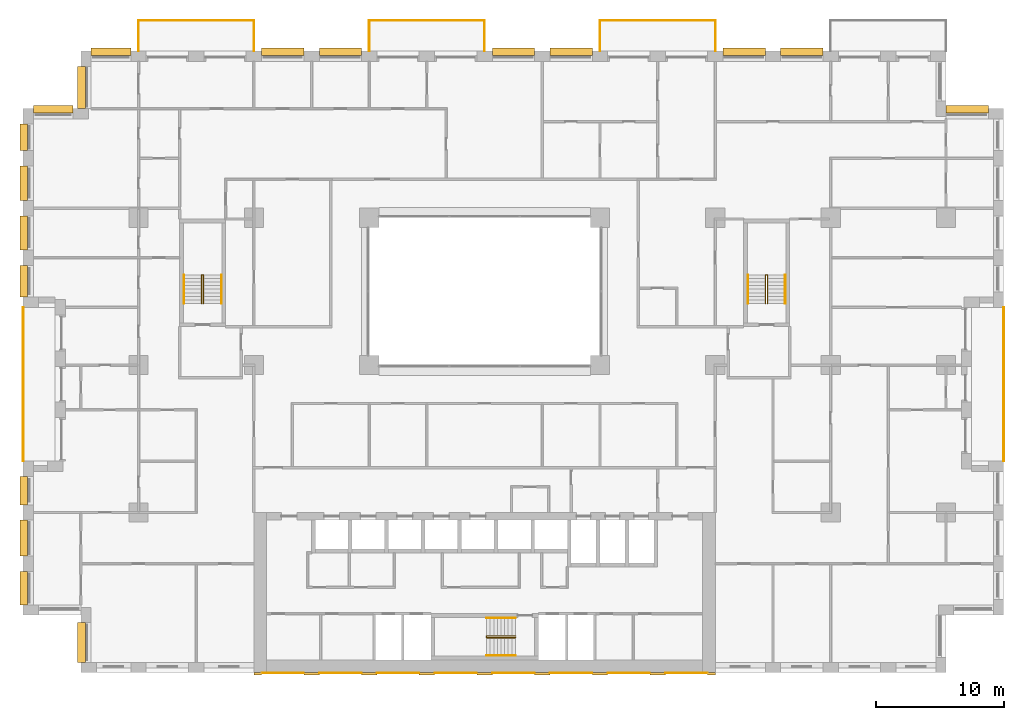
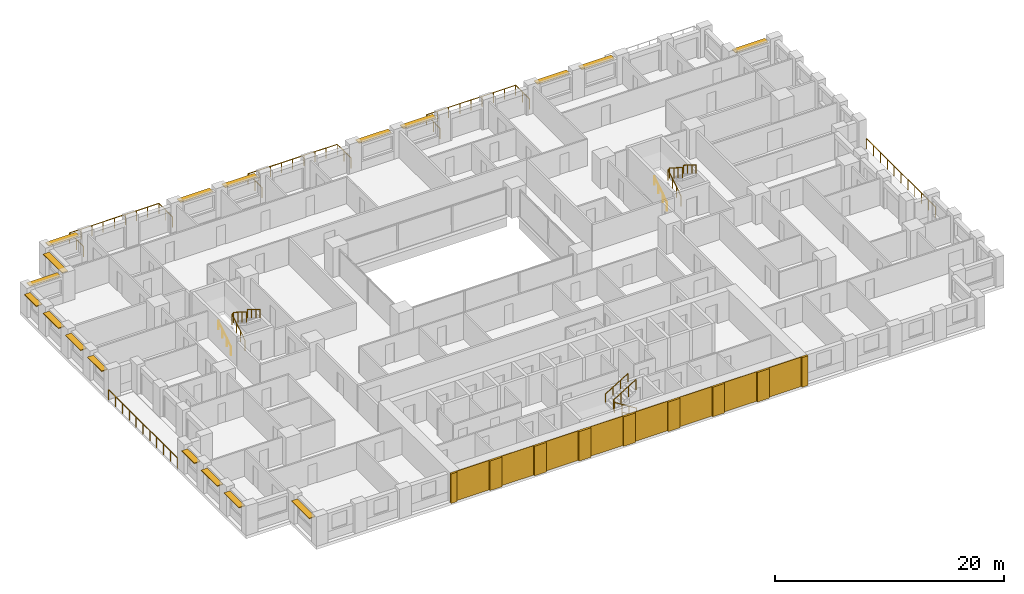
# One storey, part 19 of 20: 18 shading devices, 17 coverings, 14 railings.
"""IFC4 building model written with IfcOpenShell, lengths in metres."""

from ifc_helpers import new_model, si_unit, direction, frame, origin, origin_2d, place, context, subcontext, project, spatial, rectangle, circle, extrude, material, layer, layer_set, type_object, element, save


model = new_model("IFC4")

# Units and contexts
model_context = context("Model", 3, precision=1e-05, world=origin(), true_north=direction((0.0, 1.0)))
body_context = subcontext(model_context, "Body", "Model", "MODEL_VIEW")
ifc_project = project(units=[si_unit("LENGTHUNIT", "METRE"), si_unit("AREAUNIT", "SQUARE_METRE"), si_unit("VOLUMEUNIT", "CUBIC_METRE"), si_unit("PLANEANGLEUNIT", "RADIAN"), si_unit("MASSUNIT", "GRAM", prefix="KILO")], contexts=[model_context])

# Site, building, storey
site_placement = place(None, origin())
site = spatial("IfcSite", under=ifc_project, at=site_placement, CompositionType="ELEMENT")
building_placement = place(site_placement, origin())
building = spatial("IfcBuilding", under=site, at=building_placement, Name="Brigalow Station Residences", CompositionType="ELEMENT")
storey_placement = place(building_placement, frame((0.0, 0.0, 41.550048828125)))
storey = spatial("IfcBuildingStorey", under=building, at=storey_placement, Name="L11", CompositionType="ELEMENT", Elevation=41.550048828125)

# Railings
ifc_material_1 = material(Name="Stainless steel balustrade with laminated glass infill", Category="steel")
railing_type_1 = type_object("IfcRailingType", Name="BALCONY GUARD 1100", PredefinedType="GUARDRAIL", material=ifc_material_1)
railing_1_placement = place(storey_placement, frame((76.5, 16.5, -0.0400390625)))
element("IfcRailing", 1, at=railing_1_placement, inside=storey, type_object=railing_type_1, Name="L11/balcony-guard/1", PredefinedType="GUARDRAIL", context=body_context, shape_type="SweptSolid", body=[
    extrude(circle(Radius=0.02392578125, at=origin_2d()), frame((0.0, 0.0, 1.076171875), z_axis=(0.0, 1.0, 0.0), x_axis=(-1.0, 0.0, 0.0)), (0.0, 0.0, 1.0), 12.0),
    extrude(circle(Radius=0.02099609375, at=origin_2d()), origin(), (0.0, 0.0, 1.0), 1.052001953125),
    extrude(circle(Radius=0.02099609375, at=origin_2d()), frame((0.0, 1.199951171875, 0.0)), (0.0, 0.0, 1.0), 1.052001953125),
    extrude(circle(Radius=0.02099609375, at=origin_2d()), frame((0.0, 2.39990234375, 0.0)), (0.0, 0.0, 1.0), 1.052001953125),
    extrude(circle(Radius=0.02099609375, at=origin_2d()), frame((0.0, 3.60009765625, 0.0)), (0.0, 0.0, 1.0), 1.052001953125),
    extrude(circle(Radius=0.02099609375, at=origin_2d()), frame((0.0, 4.800048828125, 0.0)), (0.0, 0.0, 1.0), 1.052001953125),
    extrude(circle(Radius=0.02099609375, at=origin_2d()), frame((0.0, 6.0, 0.0)), (0.0, 0.0, 1.0), 1.052001953125),
    extrude(circle(Radius=0.02099609375, at=origin_2d()), frame((0.0, 7.199951171875, 0.0)), (0.0, 0.0, 1.0), 1.052001953125),
    extrude(circle(Radius=0.02099609375, at=origin_2d()), frame((0.0, 8.39990234375, 0.0)), (0.0, 0.0, 1.0), 1.052001953125),
    extrude(circle(Radius=0.02099609375, at=origin_2d()), frame((0.0, 9.60009765625, 0.0)), (0.0, 0.0, 1.0), 1.052001953125),
    extrude(circle(Radius=0.02099609375, at=origin_2d()), frame((0.0, 10.800048828125, 0.0)), (0.0, 0.0, 1.0), 1.052001953125),
    extrude(circle(Radius=0.02099609375, at=origin_2d()), frame((0.0, 12.0, 0.0)), (0.0, 0.0, 1.0), 1.052001953125),
])
railing_2_placement = place(storey_placement, frame((54.0, 48.5, -0.0400390625)))
element("IfcRailing", 2, at=railing_2_placement, inside=storey, type_object=railing_type_1, Name="L11/balcony-guard/3", PredefinedType="GUARDRAIL", context=body_context, shape_type="SweptSolid", body=[
    extrude(circle(Radius=0.02392578125, at=origin_2d()), frame((0.0, 0.0, 1.076171875), z_axis=(0.0, 1.0, 0.0), x_axis=(-1.0, 0.0, 0.0)), (0.0, 0.0, 1.0), 2.39990234375),
    extrude(circle(Radius=0.02392578125, at=origin_2d()), frame((0.0, 2.39990234375, 1.076171875), z_axis=(-1.0, 0.0, 0.0), x_axis=(0.0, -1.0, 0.0)), (0.0, 0.0, 1.0), 9.0),
    extrude(circle(Radius=0.02392578125, at=origin_2d()), frame((-9.0, 2.39990234375, 1.076171875), z_axis=(0.0, -1.0, 0.0), x_axis=(1.0, 0.0, 0.0)), (0.0, 0.0, 1.0), 2.39990234375),
    extrude(circle(Radius=0.02099609375, at=origin_2d()), origin(), (0.0, 0.0, 1.0), 1.052001953125),
    extrude(circle(Radius=0.02099609375, at=origin_2d()), frame((0.0, 1.199951171875, 0.0)), (0.0, 0.0, 1.0), 1.052001953125),
    extrude(circle(Radius=0.02099609375, at=origin_2d()), frame((0.0, 2.39990234375, 0.0)), (0.0, 0.0, 1.0), 1.052001953125),
    extrude(circle(Radius=0.02099609375, at=origin_2d()), frame((-1.125, 2.39990234375, 0.0)), (0.0, 0.0, 1.0), 1.052001953125),
    extrude(circle(Radius=0.02099609375, at=origin_2d()), frame((-2.25, 2.39990234375, 0.0)), (0.0, 0.0, 1.0), 1.052001953125),
    extrude(circle(Radius=0.02099609375, at=origin_2d()), frame((-3.375, 2.39990234375, 0.0)), (0.0, 0.0, 1.0), 1.052001953125),
    extrude(circle(Radius=0.02099609375, at=origin_2d()), frame((-4.5, 2.39990234375, 0.0)), (0.0, 0.0, 1.0), 1.052001953125),
    extrude(circle(Radius=0.02099609375, at=origin_2d()), frame((-5.625, 2.39990234375, 0.0)), (0.0, 0.0, 1.0), 1.052001953125),
    extrude(circle(Radius=0.02099609375, at=origin_2d()), frame((-6.75, 2.39990234375, 0.0)), (0.0, 0.0, 1.0), 1.052001953125),
    extrude(circle(Radius=0.02099609375, at=origin_2d()), frame((-7.875, 2.39990234375, 0.0)), (0.0, 0.0, 1.0), 1.052001953125),
    extrude(circle(Radius=0.02099609375, at=origin_2d()), frame((-9.0, 2.39990234375, 0.0)), (0.0, 0.0, 1.0), 1.052001953125),
    extrude(circle(Radius=0.02099609375, at=origin_2d()), frame((-9.0, 1.199951171875, 0.0)), (0.0, 0.0, 1.0), 1.052001953125),
    extrude(circle(Radius=0.02099609375, at=origin_2d()), frame((-9.0, 0.0, 0.0)), (0.0, 0.0, 1.0), 1.052001953125),
])
railing_3_placement = place(storey_placement, frame((36.0, 48.5, -0.0400390625)))
element("IfcRailing", 3, at=railing_3_placement, inside=storey, type_object=railing_type_1, Name="L11/balcony-guard/4", PredefinedType="GUARDRAIL", context=body_context, shape_type="SweptSolid", body=[
    extrude(circle(Radius=0.02392578125, at=origin_2d()), frame((0.0, 0.0, 1.076171875), z_axis=(0.0, 1.0, 0.0), x_axis=(-1.0, 0.0, 0.0)), (0.0, 0.0, 1.0), 2.39990234375),
    extrude(circle(Radius=0.02392578125, at=origin_2d()), frame((0.0, 2.39990234375, 1.076171875), z_axis=(-1.0, 0.0, 0.0), x_axis=(0.0, -1.0, 0.0)), (0.0, 0.0, 1.0), 9.0),
    extrude(circle(Radius=0.02392578125, at=origin_2d()), frame((-9.0, 2.39990234375, 1.076171875), z_axis=(0.0, -1.0, 0.0), x_axis=(1.0, 0.0, 0.0)), (0.0, 0.0, 1.0), 2.39990234375),
    extrude(circle(Radius=0.02099609375, at=origin_2d()), origin(), (0.0, 0.0, 1.0), 1.052001953125),
    extrude(circle(Radius=0.02099609375, at=origin_2d()), frame((0.0, 1.199951171875, 0.0)), (0.0, 0.0, 1.0), 1.052001953125),
    extrude(circle(Radius=0.02099609375, at=origin_2d()), frame((0.0, 2.39990234375, 0.0)), (0.0, 0.0, 1.0), 1.052001953125),
    extrude(circle(Radius=0.02099609375, at=origin_2d()), frame((-1.125, 2.39990234375, 0.0)), (0.0, 0.0, 1.0), 1.052001953125),
    extrude(circle(Radius=0.02099609375, at=origin_2d()), frame((-2.25, 2.39990234375, 0.0)), (0.0, 0.0, 1.0), 1.052001953125),
    extrude(circle(Radius=0.02099609375, at=origin_2d()), frame((-3.375, 2.39990234375, 0.0)), (0.0, 0.0, 1.0), 1.052001953125),
    extrude(circle(Radius=0.02099609375, at=origin_2d()), frame((-4.5, 2.39990234375, 0.0)), (0.0, 0.0, 1.0), 1.052001953125),
    extrude(circle(Radius=0.02099609375, at=origin_2d()), frame((-5.625, 2.39990234375, 0.0)), (0.0, 0.0, 1.0), 1.052001953125),
    extrude(circle(Radius=0.02099609375, at=origin_2d()), frame((-6.75, 2.39990234375, 0.0)), (0.0, 0.0, 1.0), 1.052001953125),
    extrude(circle(Radius=0.02099609375, at=origin_2d()), frame((-7.875, 2.39990234375, 0.0)), (0.0, 0.0, 1.0), 1.052001953125),
    extrude(circle(Radius=0.02099609375, at=origin_2d()), frame((-9.0, 2.39990234375, 0.0)), (0.0, 0.0, 1.0), 1.052001953125),
    extrude(circle(Radius=0.02099609375, at=origin_2d()), frame((-9.0, 1.199951171875, 0.0)), (0.0, 0.0, 1.0), 1.052001953125),
    extrude(circle(Radius=0.02099609375, at=origin_2d()), frame((-9.0, 0.0, 0.0)), (0.0, 0.0, 1.0), 1.052001953125),
])
railing_4_placement = place(storey_placement, frame((18.0, 48.5, -0.0400390625)))
element("IfcRailing", 4, at=railing_4_placement, inside=storey, type_object=railing_type_1, Name="L11/balcony-guard/5", PredefinedType="GUARDRAIL", context=body_context, shape_type="SweptSolid", body=[
    extrude(circle(Radius=0.02392578125, at=origin_2d()), frame((0.0, 0.0, 1.076171875), z_axis=(0.0, 1.0, 0.0), x_axis=(-1.0, 0.0, 0.0)), (0.0, 0.0, 1.0), 2.39990234375),
    extrude(circle(Radius=0.02392578125, at=origin_2d()), frame((0.0, 2.39990234375, 1.076171875), z_axis=(-1.0, 0.0, 0.0), x_axis=(0.0, -1.0, 0.0)), (0.0, 0.0, 1.0), 9.0),
    extrude(circle(Radius=0.02392578125, at=origin_2d()), frame((-9.0, 2.39990234375, 1.076171875), z_axis=(0.0, -1.0, 0.0), x_axis=(1.0, 0.0, 0.0)), (0.0, 0.0, 1.0), 2.39990234375),
    extrude(circle(Radius=0.02099609375, at=origin_2d()), origin(), (0.0, 0.0, 1.0), 1.052001953125),
    extrude(circle(Radius=0.02099609375, at=origin_2d()), frame((0.0, 1.199951171875, 0.0)), (0.0, 0.0, 1.0), 1.052001953125),
    extrude(circle(Radius=0.02099609375, at=origin_2d()), frame((0.0, 2.39990234375, 0.0)), (0.0, 0.0, 1.0), 1.052001953125),
    extrude(circle(Radius=0.02099609375, at=origin_2d()), frame((-1.125, 2.39990234375, 0.0)), (0.0, 0.0, 1.0), 1.052001953125),
    extrude(circle(Radius=0.02099609375, at=origin_2d()), frame((-2.25, 2.39990234375, 0.0)), (0.0, 0.0, 1.0), 1.052001953125),
    extrude(circle(Radius=0.02099609375, at=origin_2d()), frame((-3.375, 2.39990234375, 0.0)), (0.0, 0.0, 1.0), 1.052001953125),
    extrude(circle(Radius=0.02099609375, at=origin_2d()), frame((-4.5, 2.39990234375, 0.0)), (0.0, 0.0, 1.0), 1.052001953125),
    extrude(circle(Radius=0.02099609375, at=origin_2d()), frame((-5.625, 2.39990234375, 0.0)), (0.0, 0.0, 1.0), 1.052001953125),
    extrude(circle(Radius=0.02099609375, at=origin_2d()), frame((-6.75, 2.39990234375, 0.0)), (0.0, 0.0, 1.0), 1.052001953125),
    extrude(circle(Radius=0.02099609375, at=origin_2d()), frame((-7.875, 2.39990234375, 0.0)), (0.0, 0.0, 1.0), 1.052001953125),
    extrude(circle(Radius=0.02099609375, at=origin_2d()), frame((-9.0, 2.39990234375, 0.0)), (0.0, 0.0, 1.0), 1.052001953125),
    extrude(circle(Radius=0.02099609375, at=origin_2d()), frame((-9.0, 1.199951171875, 0.0)), (0.0, 0.0, 1.0), 1.052001953125),
    extrude(circle(Radius=0.02099609375, at=origin_2d()), frame((-9.0, 0.0, 0.0)), (0.0, 0.0, 1.0), 1.052001953125),
])
railing_5_placement = place(storey_placement, frame((0.0, 28.5, -0.0400390625)))
element("IfcRailing", 5, at=railing_5_placement, inside=storey, type_object=railing_type_1, Name="L11/balcony-guard/6", PredefinedType="GUARDRAIL", context=body_context, shape_type="SweptSolid", body=[
    extrude(circle(Radius=0.02392578125, at=origin_2d()), frame((0.0, 0.0, 1.076171875), z_axis=(0.0, -1.0, 0.0), x_axis=(1.0, 0.0, 0.0)), (0.0, 0.0, 1.0), 12.0),
    extrude(circle(Radius=0.02099609375, at=origin_2d()), origin(), (0.0, 0.0, 1.0), 1.052001953125),
    extrude(circle(Radius=0.02099609375, at=origin_2d()), frame((0.0, -1.199951171875, 0.0)), (0.0, 0.0, 1.0), 1.052001953125),
    extrude(circle(Radius=0.02099609375, at=origin_2d()), frame((0.0, -2.39990234375, 0.0)), (0.0, 0.0, 1.0), 1.052001953125),
    extrude(circle(Radius=0.02099609375, at=origin_2d()), frame((0.0, -3.60009765625, 0.0)), (0.0, 0.0, 1.0), 1.052001953125),
    extrude(circle(Radius=0.02099609375, at=origin_2d()), frame((0.0, -4.800048828125, 0.0)), (0.0, 0.0, 1.0), 1.052001953125),
    extrude(circle(Radius=0.02099609375, at=origin_2d()), frame((0.0, -6.0, 0.0)), (0.0, 0.0, 1.0), 1.052001953125),
    extrude(circle(Radius=0.02099609375, at=origin_2d()), frame((0.0, -7.199951171875, 0.0)), (0.0, 0.0, 1.0), 1.052001953125),
    extrude(circle(Radius=0.02099609375, at=origin_2d()), frame((0.0, -8.39990234375, 0.0)), (0.0, 0.0, 1.0), 1.052001953125),
    extrude(circle(Radius=0.02099609375, at=origin_2d()), frame((0.0, -9.60009765625, 0.0)), (0.0, 0.0, 1.0), 1.052001953125),
    extrude(circle(Radius=0.02099609375, at=origin_2d()), frame((0.0, -10.800048828125, 0.0)), (0.0, 0.0, 1.0), 1.052001953125),
    extrude(circle(Radius=0.02099609375, at=origin_2d()), frame((0.0, -12.0, 0.0)), (0.0, 0.0, 1.0), 1.052001953125),
])

# Coverings
ifc_material_2 = material(Name="Clay brick masonry", Category="masonry")
ifc_layer_1 = layer(ifc_material_2, 0.06005859375)
ifc_layer_set_1 = layer_set([ifc_layer_1], Name="BRICK PANEL FACING 60")
covering_type_1 = type_object("IfcCoveringType", Name="BRICK PANEL FACING 60", PredefinedType="CLADDING", material=ifc_layer_set_1)
for number, where, z_axis, x_axis, name in (
    (6, (20.25, -0.030029296875, 0.0), (0.0, 0.0, 1.0), (1.0, 0.0, 0.0), "L11/rear-facing/panel-1"),
    (7, (24.75, -0.030029296875, 0.0), (0.0, 0.0, 1.0), (1.0, 0.0, 0.0), "L11/rear-facing/panel-2"),
    (8, (29.25, -0.030029296875, 0.0), (0.0, 0.0, 1.0), (1.0, 0.0, 0.0), "L11/rear-facing/panel-3"),
    (9, (33.75, -0.030029296875, 0.0), (0.0, 0.0, 1.0), (1.0, 0.0, 0.0), "L11/rear-facing/panel-4"),
    (10, (38.25, -0.030029296875, 0.0), (0.0, 0.0, 1.0), (1.0, 0.0, 0.0), "L11/rear-facing/panel-5"),
    (11, (42.75, -0.030029296875, 0.0), (0.0, 0.0, 1.0), (1.0, 0.0, 0.0), "L11/rear-facing/panel-6"),
    (12, (47.25, -0.030029296875, 0.0), (0.0, 0.0, 1.0), (1.0, 0.0, 0.0), "L11/rear-facing/panel-7"),
    (13, (51.75, -0.030029296875, 0.0), (0.0, 0.0, 1.0), (1.0, 0.0, 0.0), "L11/rear-facing/panel-8"),
):
    element("IfcCovering", number, at=place(storey_placement, frame(where, z_axis=z_axis, x_axis=x_axis)), inside=storey, type_object=covering_type_1, Name=name, PredefinedType="CLADDING", context=body_context, shape_type="SweptSolid", body=[
        extrude(rectangle(XDim=3.300048828125, YDim=0.06005859375, at=origin_2d()), origin(), (0.0, 0.0, 1.0), 3.14990234375),
    ])
ifc_material_3 = material(Name="Clay brick masonry", Category="masonry")
ifc_layer_2 = layer(ifc_material_3, 0.199951171875)
ifc_layer_set_2 = layer_set([ifc_layer_2], Name="BRICK PIER FACING 200")
covering_type_2 = type_object("IfcCoveringType", Name="BRICK PIER FACING 200", PredefinedType="CLADDING", material=ifc_layer_set_2)
covering_1_placement = place(storey_placement, frame((18.300048828125, -0.10009765625, 0.0), z_axis=(0.0, 0.0, 1.0), x_axis=(1.0, 0.0, 0.0)))
element("IfcCovering", 14, at=covering_1_placement, inside=storey, type_object=covering_type_2, Name="L11/rear-facing/pier-1", PredefinedType="CLADDING", context=body_context, shape_type="SweptSolid", body=[
    extrude(rectangle(XDim=0.60009765625, YDim=0.199951171875, at=origin_2d()), origin(), (0.0, 0.0, 1.0), 3.14990234375),
])
for number, where, z_axis, x_axis, name in (
    (15, (22.5, -0.10009765625, 0.0), (0.0, 0.0, 1.0), (1.0, 0.0, 0.0), "L11/rear-facing/pier-2"),
    (16, (27.0, -0.10009765625, 0.0), (0.0, 0.0, 1.0), (1.0, 0.0, 0.0), "L11/rear-facing/pier-3"),
    (17, (31.5, -0.10009765625, 0.0), (0.0, 0.0, 1.0), (1.0, 0.0, 0.0), "L11/rear-facing/pier-4"),
    (18, (36.0, -0.10009765625, 0.0), (0.0, 0.0, 1.0), (1.0, 0.0, 0.0), "L11/rear-facing/pier-5"),
    (19, (40.5, -0.10009765625, 0.0), (0.0, 0.0, 1.0), (1.0, 0.0, 0.0), "L11/rear-facing/pier-6"),
    (20, (45.0, -0.10009765625, 0.0), (0.0, 0.0, 1.0), (1.0, 0.0, 0.0), "L11/rear-facing/pier-7"),
    (21, (49.5, -0.10009765625, 0.0), (0.0, 0.0, 1.0), (1.0, 0.0, 0.0), "L11/rear-facing/pier-8"),
):
    element("IfcCovering", number, at=place(storey_placement, frame(where, z_axis=z_axis, x_axis=x_axis)), inside=storey, type_object=covering_type_2, Name=name, PredefinedType="CLADDING", context=body_context, shape_type="SweptSolid", body=[
        extrude(rectangle(XDim=1.199951171875, YDim=0.199951171875, at=origin_2d()), origin(), (0.0, 0.0, 1.0), 3.14990234375),
    ])
covering_2_placement = place(storey_placement, frame((53.699951171875, -0.10009765625, 0.0), z_axis=(0.0, 0.0, 1.0), x_axis=(1.0, 0.0, 0.0)))
element("IfcCovering", 22, at=covering_2_placement, inside=storey, type_object=covering_type_2, Name="L11/rear-facing/pier-9", PredefinedType="CLADDING", context=body_context, shape_type="SweptSolid", body=[
    extrude(rectangle(XDim=0.60009765625, YDim=0.199951171875, at=origin_2d()), origin(), (0.0, 0.0, 1.0), 3.14990234375),
])

# Railings
ifc_material_4 = material(Name="Stainless steel balustrade", Category="steel")
railing_type_2 = type_object("IfcRailingType", Name="STAIR GUARD 1100", PredefinedType="GUARDRAIL", material=ifc_material_4)
railing_6_placement = place(storey_placement, frame((38.39990234375, 2.72998046875, 0.175048828125)))
element("IfcRailing", 23, at=railing_6_placement, inside=storey, type_object=railing_type_2, Name="GUARD GR-2", PredefinedType="GUARDRAIL", context=body_context, shape_type="SweptSolid", body=[
    extrude(circle(Radius=0.02392578125, at=origin_2d()), frame((0.0, 0.0, 1.076171875), z_axis=(-0.848013881152, 0.0, 0.529974015752), x_axis=(0.0, -1.0, 0.0)), (0.0, 0.0, 1.0), 2.641357421875),
    extrude(circle(Radius=0.02392578125, at=origin_2d()), frame((-2.239990234375, 0.0, 2.47607421875), z_axis=(0.0, 0.624960567888, 0.780656319122), x_axis=(-1.0, 0.0, 0.0)), (0.0, 0.0, 1.0), 0.22412109375),
    extrude(circle(Radius=0.02392578125, at=origin_2d()), frame((-2.239990234375, 0.14013671875, 2.65087890625), z_axis=(0.848013881152, 0.0, 0.529974015752), x_axis=(0.0, 1.0, 0.0)), (0.0, 0.0, 1.0), 2.641357421875),
    extrude(circle(Radius=0.02099609375, at=origin_2d()), origin(), (0.0, 0.0, 1.0), 1.052001953125),
    extrude(circle(Radius=0.02099609375, at=origin_2d()), frame((-0.74658203125, 0.0, 0.466552734375)), (0.0, 0.0, 1.0), 1.052001953125),
    extrude(circle(Radius=0.02099609375, at=origin_2d()), frame((-1.493408203125, 0.0, 0.933349609375)), (0.0, 0.0, 1.0), 1.052001953125),
    extrude(circle(Radius=0.02099609375, at=origin_2d()), frame((-2.239990234375, 0.0, 1.39990234375)), (0.0, 0.0, 1.0), 1.052001953125),
    extrude(circle(Radius=0.02099609375, at=origin_2d()), frame((-2.239990234375, 0.14013671875, 1.574951171875)), (0.0, 0.0, 1.0), 1.052001953125),
    extrude(circle(Radius=0.02099609375, at=origin_2d()), frame((-1.493408203125, 0.14013671875, 2.04150390625)), (0.0, 0.0, 1.0), 1.052001953125),
    extrude(circle(Radius=0.02099609375, at=origin_2d()), frame((-0.74658203125, 0.14013671875, 2.50830078125)), (0.0, 0.0, 1.0), 1.052001953125),
    extrude(circle(Radius=0.02099609375, at=origin_2d()), frame((0.0, 0.14013671875, 2.974853515625)), (0.0, 0.0, 1.0), 1.052001953125),
])
for number, where, name in (
    (24, (13.929931640625, 28.800048828125, 0.175048828125), "GUARD GR-1"),
    (25, (57.929931640625, 28.800048828125, 0.175048828125), "GUARD GR-3"),
):
    element("IfcRailing", number, at=place(storey_placement, frame(where)), inside=storey, type_object=railing_type_2, Name=name, PredefinedType="GUARDRAIL", context=body_context, shape_type="SweptSolid", body=[
        extrude(circle(Radius=0.02392578125, at=origin_2d()), frame((0.0, 0.0, 1.076171875), z_axis=(0.0, 0.848013881152, 0.529974015752), x_axis=(-1.0, 0.0, 0.0)), (0.0, 0.0, 1.0), 2.641357421875),
        extrude(circle(Radius=0.02392578125, at=origin_2d()), frame((0.0, 2.239990234375, 2.47607421875), z_axis=(0.624960567888, 0.0, 0.780656319122), x_axis=(0.0, 1.0, 0.0)), (0.0, 0.0, 1.0), 0.22412109375),
        extrude(circle(Radius=0.02392578125, at=origin_2d()), frame((0.14013671875, 2.239990234375, 2.65087890625), z_axis=(0.0, -0.848013881152, 0.529974015752), x_axis=(1.0, 0.0, 0.0)), (0.0, 0.0, 1.0), 2.641357421875),
        extrude(circle(Radius=0.02099609375, at=origin_2d()), origin(), (0.0, 0.0, 1.0), 1.052001953125),
        extrude(circle(Radius=0.02099609375, at=origin_2d()), frame((0.0, 0.74658203125, 0.466552734375)), (0.0, 0.0, 1.0), 1.052001953125),
        extrude(circle(Radius=0.02099609375, at=origin_2d()), frame((0.0, 1.493408203125, 0.933349609375)), (0.0, 0.0, 1.0), 1.052001953125),
        extrude(circle(Radius=0.02099609375, at=origin_2d()), frame((0.0, 2.239990234375, 1.39990234375)), (0.0, 0.0, 1.0), 1.052001953125),
        extrude(circle(Radius=0.02099609375, at=origin_2d()), frame((0.14013671875, 2.239990234375, 1.574951171875)), (0.0, 0.0, 1.0), 1.052001953125),
        extrude(circle(Radius=0.02099609375, at=origin_2d()), frame((0.14013671875, 1.493408203125, 2.04150390625)), (0.0, 0.0, 1.0), 1.052001953125),
        extrude(circle(Radius=0.02099609375, at=origin_2d()), frame((0.14013671875, 0.74658203125, 2.50830078125)), (0.0, 0.0, 1.0), 1.052001953125),
        extrude(circle(Radius=0.02099609375, at=origin_2d()), frame((0.14013671875, 0.0, 2.974853515625)), (0.0, 0.0, 1.0), 1.052001953125),
    ])
ifc_material_5 = material(Name="Stainless steel handrail", Category="steel")
railing_type_3 = type_object("IfcRailingType", Name="STAIR HANDRAIL 900", PredefinedType="HANDRAIL", material=ifc_material_5)
railing_7_placement = place(storey_placement, frame((38.39990234375, 1.340087890625, 0.175048828125)))
element("IfcRailing", 26, at=railing_7_placement, inside=storey, type_object=railing_type_3, Name="HANDRAIL HR-21", PredefinedType="HANDRAIL", context=body_context, shape_type="SweptSolid", body=[
    extrude(circle(Radius=0.02392578125, at=origin_2d()), frame((0.0, 0.0, 0.8759765625), z_axis=(-0.848013881152, 0.0, 0.529974015752), x_axis=(0.0, -1.0, 0.0)), (0.0, 0.0, 1.0), 2.641357421875),
    extrude(circle(Radius=0.02099609375, at=origin_2d()), origin(), (0.0, 0.0, 1.0), 0.851806640625),
    extrude(circle(Radius=0.02099609375, at=origin_2d()), frame((-0.74658203125, 0.0, 0.466552734375)), (0.0, 0.0, 1.0), 0.851806640625),
    extrude(circle(Radius=0.02099609375, at=origin_2d()), frame((-1.493408203125, 0.0, 0.933349609375)), (0.0, 0.0, 1.0), 0.851806640625),
    extrude(circle(Radius=0.02099609375, at=origin_2d()), frame((-2.239990234375, 0.0, 1.39990234375)), (0.0, 0.0, 1.0), 0.851806640625),
])
railing_8_placement = place(storey_placement, frame((36.159912109375, 4.260009765625, 1.75)))
element("IfcRailing", 27, at=railing_8_placement, inside=storey, type_object=railing_type_3, Name="HANDRAIL HR-22", PredefinedType="HANDRAIL", context=body_context, shape_type="SweptSolid", body=[
    extrude(circle(Radius=0.02392578125, at=origin_2d()), frame((0.0, 0.0, 0.8759765625), z_axis=(0.848013881152, 0.0, 0.529974015752), x_axis=(0.0, 1.0, 0.0)), (0.0, 0.0, 1.0), 2.641357421875),
    extrude(circle(Radius=0.02099609375, at=origin_2d()), origin(), (0.0, 0.0, 1.0), 0.851806640625),
    extrude(circle(Radius=0.02099609375, at=origin_2d()), frame((0.74658203125, 0.0, 0.466552734375)), (0.0, 0.0, 1.0), 0.851806640625),
    extrude(circle(Radius=0.02099609375, at=origin_2d()), frame((1.493408203125, 0.0, 0.933349609375)), (0.0, 0.0, 1.0), 0.851806640625),
    extrude(circle(Radius=0.02099609375, at=origin_2d()), frame((2.239990234375, 0.0, 1.39990234375)), (0.0, 0.0, 1.0), 0.851806640625),
])
railing_9_placement = place(storey_placement, frame((12.5400390625, 28.800048828125, 0.175048828125)))
element("IfcRailing", 28, at=railing_9_placement, inside=storey, type_object=railing_type_3, Name="HANDRAIL HR-11", PredefinedType="HANDRAIL", context=body_context, shape_type="SweptSolid", body=[
    extrude(circle(Radius=0.02392578125, at=origin_2d()), frame((0.0, 0.0, 0.8759765625), z_axis=(0.0, 0.848013881152, 0.529974015752), x_axis=(-1.0, 0.0, 0.0)), (0.0, 0.0, 1.0), 2.641357421875),
    extrude(circle(Radius=0.02099609375, at=origin_2d()), origin(), (0.0, 0.0, 1.0), 0.851806640625),
    extrude(circle(Radius=0.02099609375, at=origin_2d()), frame((0.0, 0.74658203125, 0.466552734375)), (0.0, 0.0, 1.0), 0.851806640625),
    extrude(circle(Radius=0.02099609375, at=origin_2d()), frame((0.0, 1.493408203125, 0.933349609375)), (0.0, 0.0, 1.0), 0.851806640625),
    extrude(circle(Radius=0.02099609375, at=origin_2d()), frame((0.0, 2.239990234375, 1.39990234375)), (0.0, 0.0, 1.0), 0.851806640625),
])
railing_10_placement = place(storey_placement, frame((15.4599609375, 31.0400390625, 1.75)))
element("IfcRailing", 29, at=railing_10_placement, inside=storey, type_object=railing_type_3, Name="HANDRAIL HR-12", PredefinedType="HANDRAIL", context=body_context, shape_type="SweptSolid", body=[
    extrude(circle(Radius=0.02392578125, at=origin_2d()), frame((0.0, 0.0, 0.8759765625), z_axis=(0.0, -0.848013881152, 0.529974015752), x_axis=(1.0, 0.0, 0.0)), (0.0, 0.0, 1.0), 2.641357421875),
    extrude(circle(Radius=0.02099609375, at=origin_2d()), origin(), (0.0, 0.0, 1.0), 0.851806640625),
    extrude(circle(Radius=0.02099609375, at=origin_2d()), frame((0.0, -0.74658203125, 0.466552734375)), (0.0, 0.0, 1.0), 0.851806640625),
    extrude(circle(Radius=0.02099609375, at=origin_2d()), frame((0.0, -1.493408203125, 0.933349609375)), (0.0, 0.0, 1.0), 0.851806640625),
    extrude(circle(Radius=0.02099609375, at=origin_2d()), frame((0.0, -2.239990234375, 1.39990234375)), (0.0, 0.0, 1.0), 0.851806640625),
])
railing_11_placement = place(storey_placement, frame((56.5400390625, 28.800048828125, 0.175048828125)))
element("IfcRailing", 30, at=railing_11_placement, inside=storey, type_object=railing_type_3, Name="HANDRAIL HR-31", PredefinedType="HANDRAIL", context=body_context, shape_type="SweptSolid", body=[
    extrude(circle(Radius=0.02392578125, at=origin_2d()), frame((0.0, 0.0, 0.8759765625), z_axis=(0.0, 0.848013881152, 0.529974015752), x_axis=(-1.0, 0.0, 0.0)), (0.0, 0.0, 1.0), 2.641357421875),
    extrude(circle(Radius=0.02099609375, at=origin_2d()), origin(), (0.0, 0.0, 1.0), 0.851806640625),
    extrude(circle(Radius=0.02099609375, at=origin_2d()), frame((0.0, 0.74658203125, 0.466552734375)), (0.0, 0.0, 1.0), 0.851806640625),
    extrude(circle(Radius=0.02099609375, at=origin_2d()), frame((0.0, 1.493408203125, 0.933349609375)), (0.0, 0.0, 1.0), 0.851806640625),
    extrude(circle(Radius=0.02099609375, at=origin_2d()), frame((0.0, 2.239990234375, 1.39990234375)), (0.0, 0.0, 1.0), 0.851806640625),
])
railing_12_placement = place(storey_placement, frame((59.4599609375, 31.0400390625, 1.75)))
element("IfcRailing", 31, at=railing_12_placement, inside=storey, type_object=railing_type_3, Name="HANDRAIL HR-32", PredefinedType="HANDRAIL", context=body_context, shape_type="SweptSolid", body=[
    extrude(circle(Radius=0.02392578125, at=origin_2d()), frame((0.0, 0.0, 0.8759765625), z_axis=(0.0, -0.848013881152, 0.529974015752), x_axis=(1.0, 0.0, 0.0)), (0.0, 0.0, 1.0), 2.641357421875),
    extrude(circle(Radius=0.02099609375, at=origin_2d()), origin(), (0.0, 0.0, 1.0), 0.851806640625),
    extrude(circle(Radius=0.02099609375, at=origin_2d()), frame((0.0, -0.74658203125, 0.466552734375)), (0.0, 0.0, 1.0), 0.851806640625),
    extrude(circle(Radius=0.02099609375, at=origin_2d()), frame((0.0, -1.493408203125, 0.933349609375)), (0.0, 0.0, 1.0), 0.851806640625),
    extrude(circle(Radius=0.02099609375, at=origin_2d()), frame((0.0, -2.239990234375, 1.39990234375)), (0.0, 0.0, 1.0), 0.851806640625),
])

# Shading devices
ifc_material_6 = material(Name="Powder-coated extruded aluminium blade", Category="aluminium")
ifc_layer_3 = layer(ifc_material_6, 0.080078125)
ifc_layer_set_3 = layer_set([ifc_layer_3], Name="SUNSHADE BLADE 600x80")
shading_device_type = type_object("IfcShadingDeviceType", Name="SUNSHADE BLADE 600x80", PredefinedType="JALOUSIE", material=ifc_layer_set_3)
for number, where, z_axis, x_axis, name in (
    (32, (73.64990234375, 43.949951171875, 2.5498046875), (0.0, 0.0, 1.0), (-1.0, 0.0, 0.0), "L11/blade/W-L11-23"),
    (33, (60.75, 48.449951171875, 2.5498046875), (0.0, 0.0, 1.0), (-1.0, 0.0, 0.0), "L11/blade/W-L11-27"),
    (34, (56.25, 48.449951171875, 2.5498046875), (0.0, 0.0, 1.0), (-1.0, 0.0, 0.0), "L11/blade/W-L11-28"),
    (35, (42.75, 48.449951171875, 2.5498046875), (0.0, 0.0, 1.0), (-1.0, 0.0, 0.0), "L11/blade/W-L11-31"),
    (36, (38.25, 48.449951171875, 2.5498046875), (0.0, 0.0, 1.0), (-1.0, 0.0, 0.0), "L11/blade/W-L11-32"),
    (37, (24.75, 48.449951171875, 2.5498046875), (0.0, 0.0, 1.0), (-1.0, 0.0, 0.0), "L11/blade/W-L11-35"),
    (38, (20.25, 48.449951171875, 2.5498046875), (0.0, 0.0, 1.0), (-1.0, 0.0, 0.0), "L11/blade/W-L11-36"),
):
    element("IfcShadingDevice", number, at=place(storey_placement, frame(where, z_axis=z_axis, x_axis=x_axis)), inside=storey, type_object=shading_device_type, Name=name, PredefinedType="JALOUSIE", context=body_context, shape_type="SweptSolid", body=[
        extrude(rectangle(XDim=3.300048828125, YDim=0.60009765625, at=origin_2d()), origin(), (0.0, 0.0, 1.0), 0.080078125),
    ])
shading_device_1_placement = place(storey_placement, frame((6.85009765625, 48.449951171875, 2.5498046875), z_axis=(0.0, 0.0, 1.0), x_axis=(-1.0, 0.0, 0.0)))
element("IfcShadingDevice", 39, at=shading_device_1_placement, inside=storey, type_object=shading_device_type, Name="L11/blade/W-L11-39", PredefinedType="JALOUSIE", context=body_context, shape_type="SweptSolid", body=[
    extrude(rectangle(XDim=3.10009765625, YDim=0.60009765625, at=origin_2d()), origin(), (0.0, 0.0, 1.0), 0.080078125),
])
shading_device_2_placement = place(storey_placement, frame((4.550048828125, 45.64990234375, 2.5498046875), z_axis=(0.0, 0.0, 1.0), x_axis=(0.0, -1.0, 0.0)))
element("IfcShadingDevice", 40, at=shading_device_2_placement, inside=storey, type_object=shading_device_type, Name="L11/blade/W-L11-40", PredefinedType="JALOUSIE", context=body_context, shape_type="SweptSolid", body=[
    extrude(rectangle(XDim=3.300048828125, YDim=0.60009765625, at=origin_2d()), origin(), (0.0, 0.0, 1.0), 0.080078125),
])
shading_device_3_placement = place(storey_placement, frame((2.35009765625, 43.949951171875, 2.5498046875), z_axis=(0.0, 0.0, 1.0), x_axis=(-1.0, 0.0, 0.0)))
element("IfcShadingDevice", 41, at=shading_device_3_placement, inside=storey, type_object=shading_device_type, Name="L11/blade/W-L11-41", PredefinedType="JALOUSIE", context=body_context, shape_type="SweptSolid", body=[
    extrude(rectangle(XDim=3.10009765625, YDim=0.60009765625, at=origin_2d()), origin(), (0.0, 0.0, 1.0), 0.080078125),
])
shading_device_4_placement = place(storey_placement, frame((0.050048828125, 41.762451171875, 2.5498046875), z_axis=(0.0, 0.0, 1.0), x_axis=(0.0, -1.0, 0.0)))
element("IfcShadingDevice", 42, at=shading_device_4_placement, inside=storey, type_object=shading_device_type, Name="L11/blade/W-L11-42", PredefinedType="JALOUSIE", context=body_context, shape_type="SweptSolid", body=[
    extrude(rectangle(XDim=2.074951171875, YDim=0.60009765625, at=origin_2d()), origin(), (0.0, 0.0, 1.0), 0.080078125),
])
for number, where, z_axis, x_axis, name in (
    (43, (0.050048828125, 38.1875, 2.5498046875), (0.0, 0.0, 1.0), (0.0, -1.0, 0.0), "L11/blade/W-L11-43"),
    (44, (0.050048828125, 34.3125, 2.5498046875), (0.0, 0.0, 1.0), (0.0, -1.0, 0.0), "L11/blade/W-L11-44"),
):
    element("IfcShadingDevice", number, at=place(storey_placement, frame(where, z_axis=z_axis, x_axis=x_axis)), inside=storey, type_object=shading_device_type, Name=name, PredefinedType="JALOUSIE", context=body_context, shape_type="SweptSolid", body=[
        extrude(rectangle(XDim=2.675048828125, YDim=0.60009765625, at=origin_2d()), origin(), (0.0, 0.0, 1.0), 0.080078125),
    ])
shading_device_5_placement = place(storey_placement, frame((0.050048828125, 30.53759765625, 2.5498046875), z_axis=(0.0, 0.0, 1.0), x_axis=(0.0, -1.0, 0.0)))
element("IfcShadingDevice", 45, at=shading_device_5_placement, inside=storey, type_object=shading_device_type, Name="L11/blade/W-L11-45", PredefinedType="JALOUSIE", context=body_context, shape_type="SweptSolid", body=[
    extrude(rectangle(XDim=2.47509765625, YDim=0.60009765625, at=origin_2d()), origin(), (0.0, 0.0, 1.0), 0.080078125),
])
shading_device_6_placement = place(storey_placement, frame((0.050048828125, 14.199951171875, 2.5498046875), z_axis=(0.0, 0.0, 1.0), x_axis=(0.0, -1.0, 0.0)))
element("IfcShadingDevice", 46, at=shading_device_6_placement, inside=storey, type_object=shading_device_type, Name="L11/blade/W-L11-51", PredefinedType="JALOUSIE", context=body_context, shape_type="SweptSolid", body=[
    extrude(rectangle(XDim=2.199951171875, YDim=0.60009765625, at=origin_2d()), origin(), (0.0, 0.0, 1.0), 0.080078125),
])
shading_device_7_placement = place(storey_placement, frame((0.050048828125, 10.5, 2.5498046875), z_axis=(0.0, 0.0, 1.0), x_axis=(0.0, -1.0, 0.0)))
element("IfcShadingDevice", 47, at=shading_device_7_placement, inside=storey, type_object=shading_device_type, Name="L11/blade/W-L11-52", PredefinedType="JALOUSIE", context=body_context, shape_type="SweptSolid", body=[
    extrude(rectangle(XDim=2.800048828125, YDim=0.60009765625, at=origin_2d()), origin(), (0.0, 0.0, 1.0), 0.080078125),
])
shading_device_8_placement = place(storey_placement, frame((0.050048828125, 6.60009765625, 2.5498046875), z_axis=(0.0, 0.0, 1.0), x_axis=(0.0, -1.0, 0.0)))
element("IfcShadingDevice", 48, at=shading_device_8_placement, inside=storey, type_object=shading_device_type, Name="L11/blade/W-L11-53", PredefinedType="JALOUSIE", context=body_context, shape_type="SweptSolid", body=[
    extrude(rectangle(XDim=2.60009765625, YDim=0.60009765625, at=origin_2d()), origin(), (0.0, 0.0, 1.0), 0.080078125),
])
shading_device_9_placement = place(storey_placement, frame((4.550048828125, 2.35009765625, 2.5498046875), z_axis=(0.0, 0.0, 1.0), x_axis=(0.0, -1.0, 0.0)))
element("IfcShadingDevice", 49, at=shading_device_9_placement, inside=storey, type_object=shading_device_type, Name="L11/blade/W-L11-55", PredefinedType="JALOUSIE", context=body_context, shape_type="SweptSolid", body=[
    extrude(rectangle(XDim=3.10009765625, YDim=0.60009765625, at=origin_2d()), origin(), (0.0, 0.0, 1.0), 0.080078125),
])

save(model, "model.ifc")
